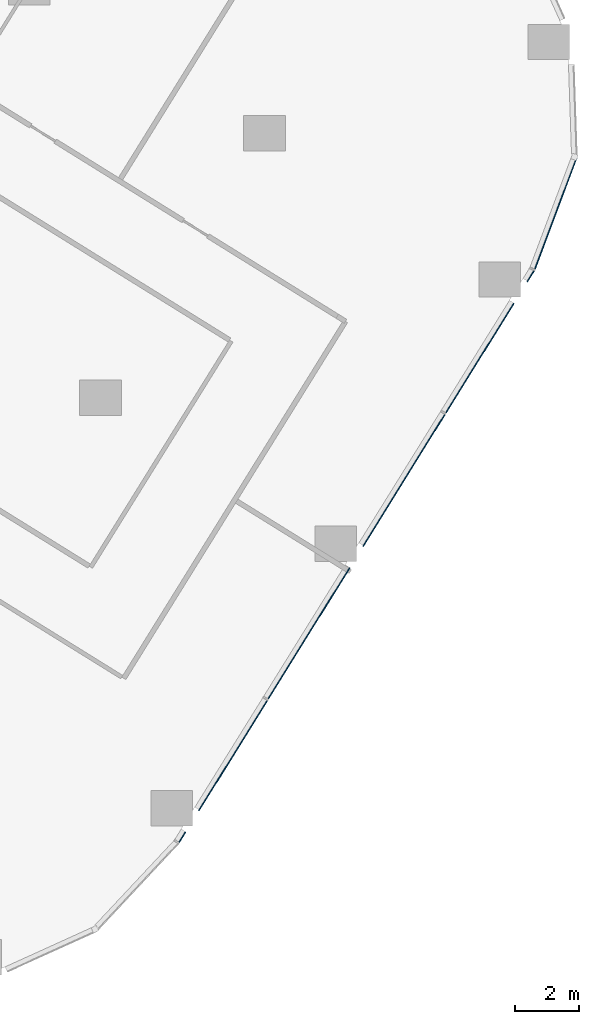
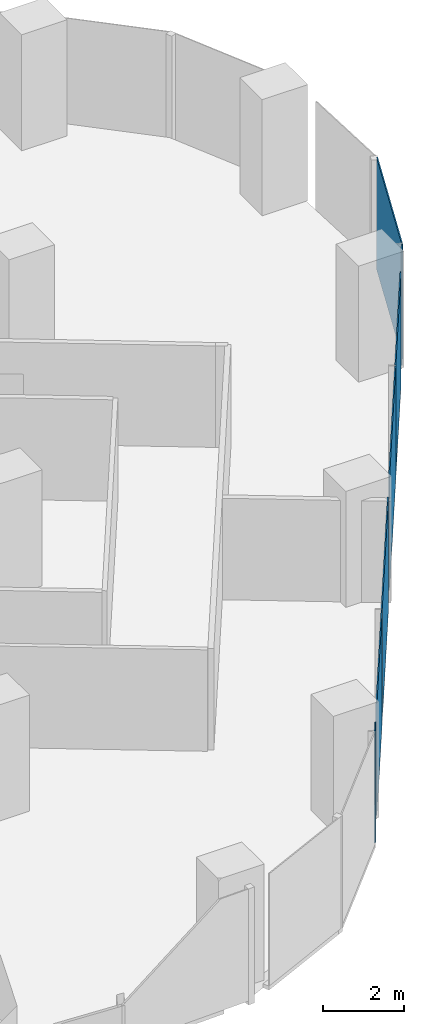
# One storey, part 22 of 34: 7 plates, 2 elements without a shape of their own.
"""IFC4 building model written with IfcOpenShell, lengths in metres."""

from ifc_helpers import new_model, si_unit, direction, frame, origin, origin_2d, place, context, subcontext, project, spatial, rectangle, extrude, material, layer, layer_set, type_object, element, aggregate, save


model = new_model("IFC4")

# Units and contexts
model_context = context("Model", 3, precision=1e-05, world=origin(), true_north=direction((0.0, 1.0)))
body_context = subcontext(model_context, "Body", "Model", "MODEL_VIEW")
ifc_project = project(units=[si_unit("LENGTHUNIT", "METRE"), si_unit("AREAUNIT", "SQUARE_METRE"), si_unit("VOLUMEUNIT", "CUBIC_METRE"), si_unit("PLANEANGLEUNIT", "RADIAN"), si_unit("MASSUNIT", "GRAM", prefix="KILO")], contexts=[model_context])

# Site, building, storey
site_placement = place(None, origin())
site = spatial("IfcSite", under=ifc_project, at=site_placement, CompositionType="ELEMENT")
building_placement = place(site_placement, origin())
building = spatial("IfcBuilding", under=site, at=building_placement, Name="Orlundy Tower", CompositionType="ELEMENT")
storey_placement = place(building_placement, frame((0.0, 0.0, 47.800048828125)))
storey = spatial("IfcBuildingStorey", under=building, at=storey_placement, Name="L10", CompositionType="ELEMENT", Elevation=47.800048828125)

# Curtain wall, plate
ifc_material_1 = material(Name="Aluminium bronze anodised", Category="aluminium")
curtain_wall_type = type_object("IfcCurtainWallType", Name="CW1 wall", PredefinedType="NOTDEFINED", material=ifc_material_1)
curtain_wall_1_placement = place(storey_placement, origin())
curtain_wall_1 = element("IfcCurtainWall", 1, at=curtain_wall_1_placement, inside=storey, type_object=curtain_wall_type, Name="CW1 run 010", PredefinedType="NOTDEFINED")
ifc_material_2 = material(Name="Tinted glass", Category="glass")
ifc_layer = layer(ifc_material_2, 0.031982421875)
ifc_layer_set = layer_set([ifc_layer], Name="CW1 glass panel 32")
plate_type = type_object("IfcPlateType", Name="CW1 glass panel 32", PredefinedType="CURTAIN_PANEL", material=ifc_layer_set)
plate_1_placement = place(storey_placement, frame((56.9013671875, -20.76611328125, -0.300048828125), z_axis=(0.0, 0.0, 1.0), x_axis=(-0.351537332791, -0.936173864009, 0.0)))
plate_1 = element("IfcPlate", 2, at=plate_1_placement, type_object=plate_type, Name="CW1 panel", PredefinedType="CURTAIN_PANEL", context=body_context, shape_type="SweptSolid", body=[
    extrude(rectangle(XDim=3.730224609375, YDim=0.031982421875, at=origin_2d()), origin(), (0.0, 0.0, 1.0), 3.3798828125),
])
aggregate(curtain_wall_1, [plate_1])

# Curtain wall, plates
curtain_wall_2_placement = place(storey_placement, origin())
curtain_wall_2 = element("IfcCurtainWall", 3, at=curtain_wall_2_placement, inside=storey, type_object=curtain_wall_type, Name="CW1 run 011", PredefinedType="NOTDEFINED")
plate_2_placement = place(storey_placement, frame((56.115234375, -22.7314453125, -0.300048828125), z_axis=(0.0, 0.0, 1.0), x_axis=(-0.527475466848, -0.849570263059, 0.0)))
plate_2 = element("IfcPlate", 4, at=plate_2_placement, type_object=plate_type, Name="CW1 panel", PredefinedType="CURTAIN_PANEL", context=body_context, shape_type="SweptSolid", body=[
    extrude(rectangle(XDim=0.41064453125, YDim=0.031982421875, at=origin_2d()), origin(), (0.0, 0.0, 1.0), 3.3798828125),
])
plate_3_placement = place(storey_placement, frame((54.53173828125, -25.2822265625, -0.300048828125), z_axis=(0.0, 0.0, 1.0), x_axis=(-0.527475466848, -0.849570263059, 0.0)))
plate_3 = element("IfcPlate", 5, at=plate_3_placement, type_object=plate_type, Name="CW1 panel", PredefinedType="CURTAIN_PANEL", context=body_context, shape_type="SweptSolid", body=[
    extrude(rectangle(XDim=4.016845703125, YDim=0.031982421875, at=origin_2d()), origin(), (0.0, 0.0, 1.0), 3.3798828125),
])
plate_4_placement = place(storey_placement, frame((52.16845703125, -29.08837890625, -0.300048828125), z_axis=(0.0, 0.0, 1.0), x_axis=(-0.527475466848, -0.849570263059, 0.0)))
plate_4 = element("IfcPlate", 6, at=plate_4_placement, type_object=plate_type, Name="CW1 panel", PredefinedType="CURTAIN_PANEL", context=body_context, shape_type="SweptSolid", body=[
    extrude(rectangle(XDim=4.843505859375, YDim=0.031982421875, at=origin_2d()), origin(), (0.0, 0.0, 1.0), 3.3798828125),
])
plate_5_placement = place(storey_placement, frame((49.2041015625, -33.863037109375, -0.300048828125), z_axis=(0.0, 0.0, 1.0), x_axis=(-0.527475466848, -0.849570263059, 0.0)))
plate_5 = element("IfcPlate", 7, at=plate_5_placement, type_object=plate_type, Name="CW1 panel", PredefinedType="CURTAIN_PANEL", context=body_context, shape_type="SweptSolid", body=[
    extrude(rectangle(XDim=4.816650390625, YDim=0.031982421875, at=origin_2d()), origin(), (0.0, 0.0, 1.0), 3.3798828125),
])
plate_6_placement = place(storey_placement, frame((46.840576171875, -37.66943359375, -0.300048828125), z_axis=(0.0, 0.0, 1.0), x_axis=(-0.527475466848, -0.849570263059, 0.0)))
plate_6 = element("IfcPlate", 8, at=plate_6_placement, type_object=plate_type, Name="CW1 panel", PredefinedType="CURTAIN_PANEL", context=body_context, shape_type="SweptSolid", body=[
    extrude(rectangle(XDim=4.04443359375, YDim=0.031982421875, at=origin_2d()), origin(), (0.0, 0.0, 1.0), 3.3798828125),
])
plate_7_placement = place(storey_placement, frame((45.2568359375, -40.220458984375, -0.300048828125), z_axis=(0.0, 0.0, 1.0), x_axis=(-0.527475466848, -0.849570263059, 0.0)))
plate_7 = element("IfcPlate", 9, at=plate_7_placement, type_object=plate_type, Name="CW1 panel", PredefinedType="CURTAIN_PANEL", context=body_context, shape_type="SweptSolid", body=[
    extrude(rectangle(XDim=0.38232421875, YDim=0.031982421875, at=origin_2d()), origin(), (0.0, 0.0, 1.0), 3.3798828125),
])
aggregate(curtain_wall_2, [plate_2, plate_3, plate_4, plate_5, plate_6, plate_7])

save(model, "model.ifc")
